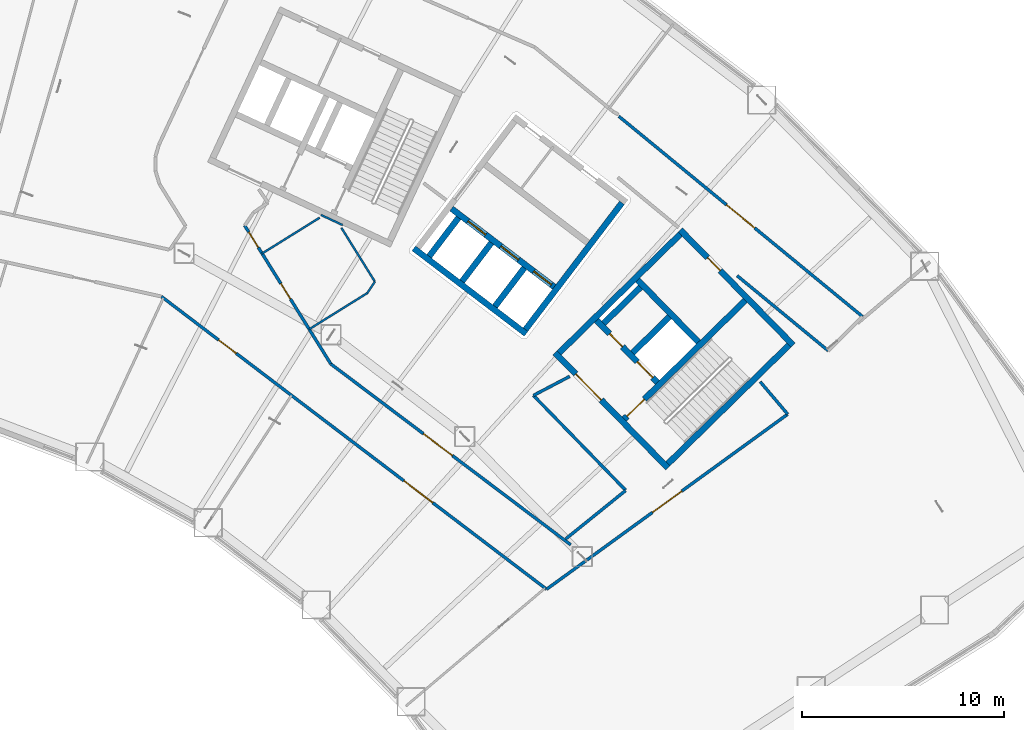
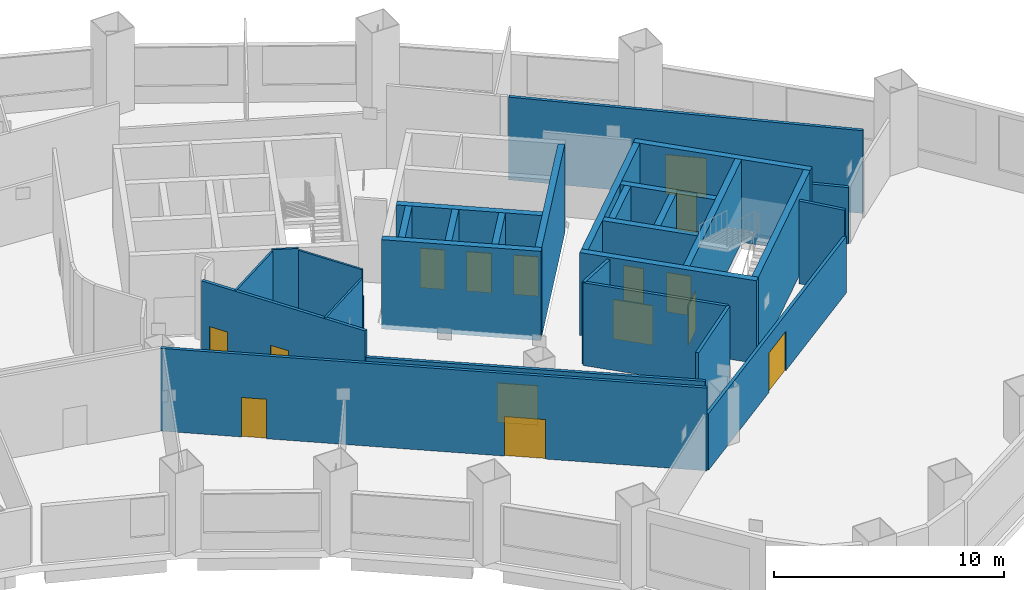
# One storey, part 10 of 24: 30 walls, 15 doors, 15 openings.
"""IFC4 building model written with IfcOpenShell, lengths in metres."""

from ifc_helpers import new_model, si_unit, direction, frame, frame_2d, origin, place, context, subcontext, project, spatial, rectangle, extrude, material, layer, layer_set, type_object, element, fill, save


model = new_model("IFC4")

# Units and contexts
model_context = context("Model", 3, precision=1e-05, world=origin(), true_north=direction((0.0, 1.0)))
body_context = subcontext(model_context, "Body", "Model", "MODEL_VIEW")
ifc_project = project(units=[si_unit("LENGTHUNIT", "METRE"), si_unit("AREAUNIT", "SQUARE_METRE"), si_unit("VOLUMEUNIT", "CUBIC_METRE"), si_unit("PLANEANGLEUNIT", "RADIAN"), si_unit("MASSUNIT", "GRAM", prefix="KILO")], contexts=[model_context])

# Site, building, storey
site_placement = place(None, origin())
site = spatial("IfcSite", under=ifc_project, at=site_placement, CompositionType="ELEMENT")
building_placement = place(site_placement, origin())
building = spatial("IfcBuilding", under=site, at=building_placement, Name="Tuul Gate Civic Tower", CompositionType="ELEMENT")
storey_placement = place(building_placement, frame((0.0, 0.0, 21.89990234375)))
storey = spatial("IfcBuildingStorey", under=building, at=storey_placement, Name="Level 04", CompositionType="ELEMENT", Elevation=21.89990234375)

# Wall, opening, door
ifc_material_1 = material(Name="Concrete C50/60", Category="concrete")
ifc_layer_1 = layer(ifc_material_1, 0.300048828125)
ifc_layer_set_1 = layer_set([ifc_layer_1], Name="Concrete C50/60")
wall_type_1 = type_object("IfcWallType", Name="Core wall C50/60", PredefinedType="SHEAR", material=ifc_layer_set_1)
wall_1_placement = place(storey_placement, frame((48.22509765625, -18.327880859375, 0.0), z_axis=(0.0, 0.0, 1.0), x_axis=(-0.700021979774, 0.714121297703, 0.0)))
wall_1 = element("IfcWall", 1, at=wall_1_placement, inside=storey, type_object=wall_type_1, Name="Core wall", PredefinedType="SHEAR", context=body_context, shape_type="SweptSolid", body=[
    extrude(rectangle(XDim=8.0, YDim=0.300048828125, at=frame_2d((4.0, 0.0))), origin(), (0.0, 0.0, 1.0), 4.400146484375),
])
opening_1_placement = place(wall_1_placement, frame((4.72509765625, 0.0, 0.0)))
opening_1 = element("IfcOpeningElement", 2, at=opening_1_placement, cuts=wall_1, Name="Opening LB-E1-LOBBY-1", PredefinedType="OPENING", context=body_context, shape_type="SweptSolid", body=[
    extrude(rectangle(XDim=1.800048828125, YDim=2.10009765625, at=frame_2d((0.89990234375, 1.050048828125))), frame((0.0, 0.16015625, 0.0), z_axis=(0.0, -1.0, 0.0), x_axis=(1.0, 0.0, 0.0)), (0.0, 0.0, 1.0), 0.320068359375),
])
ifc_material_2 = material(Name="Steel", Category="steel")
door_type_1 = type_object("IfcDoorType", Name="Lobby door", OperationType="DOUBLE_DOOR_SINGLE_SWING", PredefinedType="DOOR", material=ifc_material_2)
door_1_placement = place(opening_1_placement, frame((1.800048828125, 0.0, 0.0), z_axis=(0.0, 0.0, 1.0), x_axis=(-1.0, 0.0, 0.0)))
door_1 = element("IfcDoor", 3, at=door_1_placement, inside=storey, type_object=door_type_1, Name="Lobby door E1-LOBBY", OperationType="DOUBLE_DOOR_SINGLE_SWING", OverallHeight=2.10009765625, OverallWidth=1.800048828125, PredefinedType="DOOR", context=body_context, shape_type="SweptSolid", body=[
    extrude(rectangle(XDim=1.800048828125, YDim=2.10009765625, at=frame_2d((0.900146484375, 1.050048828125))), frame((0.0, 0.02490234375, 0.0), z_axis=(0.0, -1.0, 0.0), x_axis=(1.0, 0.0, 0.0)), (0.0, 0.0, 1.0), 0.050048828125),
])
fill(opening_1, door_1)

# Wall, openings, doors
wall_2_placement = place(storey_placement, frame((47.701904296875, -14.079833984375, 0.0), z_axis=(0.0, 0.0, 1.0), x_axis=(-0.700002721075, 0.714140175657, 0.0)))
wall_2 = element("IfcWall", 4, at=wall_2_placement, inside=storey, type_object=wall_type_1, Name="Core wall", PredefinedType="SHEAR", context=body_context, shape_type="SweptSolid", body=[
    extrude(rectangle(XDim=4.300048828125, YDim=0.300048828125, at=frame_2d((2.14990234375, 0.0))), origin(), (0.0, 0.0, 1.0), 4.400146484375),
])
opening_2_placement = place(wall_2_placement, frame((0.324951171875, 0.0, 0.0)))
opening_2 = element("IfcOpeningElement", 5, at=opening_2_placement, cuts=wall_2, Name="Opening LD-L4", PredefinedType="OPENING", context=body_context, shape_type="SweptSolid", body=[
    extrude(rectangle(XDim=1.10009765625, YDim=2.10009765625, at=frame_2d((0.550048828125, 1.050048828125))), frame((0.0, 0.16015625, 0.0), z_axis=(0.0, -1.0, 0.0), x_axis=(1.0, 0.0, 0.0)), (0.0, 0.0, 1.0), 0.320068359375),
])
opening_3_placement = place(wall_2_placement, frame((2.47509765625, 0.0, 0.0)))
opening_3 = element("IfcOpeningElement", 6, at=opening_3_placement, cuts=wall_2, Name="Opening FB-E1A2", PredefinedType="OPENING", context=body_context, shape_type="SweptSolid", body=[
    extrude(rectangle(XDim=0.89990234375, YDim=2.10009765625, at=frame_2d((0.449951171875, 1.050048828125))), frame((0.0, 0.16015625, 0.0), z_axis=(0.0, -1.0, 0.0), x_axis=(1.0, 0.0, 0.0)), (0.0, 0.0, 1.0), 0.320068359375),
])
ifc_material_3 = material(Name="Stainless steel", Category="steel")
door_type_2 = type_object("IfcDoorType", Name="Landing door", OperationType="DOUBLE_DOOR_SLIDING", PredefinedType="DOOR", material=ifc_material_3)
door_2_placement = place(opening_2_placement, origin())
door_2 = element("IfcDoor", 7, at=door_2_placement, inside=storey, type_object=door_type_2, Name="Low-rise lift L4 landing door", OperationType="DOUBLE_DOOR_SLIDING", OverallHeight=2.10009765625, OverallWidth=1.10009765625, PredefinedType="DOOR", context=body_context, shape_type="SweptSolid", body=[
    extrude(rectangle(XDim=1.10009765625, YDim=2.10009765625, at=frame_2d((0.550048828125, 1.050048828125))), frame((0.0, 0.02490234375, 0.0), z_axis=(0.0, -1.0, 0.0), x_axis=(1.0, 0.0, 0.0)), (0.0, 0.0, 1.0), 0.050048828125),
])
fill(opening_2, door_2)
ifc_material_4 = material(Name="Steel", Category="steel")
door_type_3 = type_object("IfcDoorType", Name="Store door", OperationType="NOTDEFINED", PredefinedType="DOOR", material=ifc_material_4)
door_3_placement = place(opening_3_placement, frame((0.89990234375, 0.0, 0.0), z_axis=(0.0, 0.0, 1.0), x_axis=(-1.0, 0.0, 0.0)))
door_3 = element("IfcDoor", 8, at=door_3_placement, inside=storey, type_object=door_type_3, Name="Store door E1A2", OperationType="SINGLE_SWING_LEFT", OverallHeight=2.10009765625, OverallWidth=0.89990234375, PredefinedType="DOOR", context=body_context, shape_type="SweptSolid", body=[
    extrude(rectangle(XDim=0.89990234375, YDim=2.10009765625, at=frame_2d((0.449951171875, 1.050048828125))), frame((0.0, 0.02490234375, 0.0), z_axis=(0.0, -1.0, 0.0), x_axis=(1.0, 0.0, 0.0)), (0.0, 0.0, 1.0), 0.050048828125),
])
fill(opening_3, door_3)

# Wall
wall_3_placement = place(storey_placement, frame((49.737060546875, -12.0849609375, 0.0), z_axis=(0.0, 0.0, 1.0), x_axis=(-0.700002721075, 0.714140175657, 0.0)))
element("IfcWall", 9, at=wall_3_placement, inside=storey, type_object=wall_type_1, Name="Core wall", PredefinedType="SHEAR", context=body_context, shape_type="SweptSolid", body=[
    extrude(rectangle(XDim=4.300048828125, YDim=0.300048828125, at=frame_2d((2.14990234375, 0.0))), origin(), (0.0, 0.0, 1.0), 4.400146484375),
])

# Wall, opening, door
wall_4_placement = place(storey_placement, frame((54.43798828125, -12.23779296875, 0.0), z_axis=(0.0, 0.0, 1.0), x_axis=(-0.700021979774, 0.714121297703, 0.0)))
wall_4 = element("IfcWall", 10, at=wall_4_placement, inside=storey, type_object=wall_type_1, Name="Core wall", PredefinedType="SHEAR", context=body_context, shape_type="SweptSolid", body=[
    extrude(rectangle(XDim=8.0, YDim=0.300048828125, at=frame_2d((4.0, 0.0))), origin(), (0.0, 0.0, 1.0), 4.400146484375),
])
opening_4_placement = place(wall_4_placement, frame((5.175048828125, 0.0, 0.0)))
opening_4 = element("IfcOpeningElement", 11, at=opening_4_placement, cuts=wall_4, Name="Opening QD-D40", PredefinedType="OPENING", context=body_context, shape_type="SweptSolid", body=[
    extrude(rectangle(XDim=0.89990234375, YDim=2.10009765625, at=frame_2d((0.449951171875, 1.050048828125))), frame((0.0, 0.16015625, 0.0), z_axis=(0.0, -1.0, 0.0), x_axis=(1.0, 0.0, 0.0)), (0.0, 0.0, 1.0), 0.320068359375),
])
ifc_material_5 = material(Name="Timber door leaf", Category="wood")
door_type_4 = type_object("IfcDoorType", Name="Door D09", OperationType="NOTDEFINED", PredefinedType="DOOR", material=ifc_material_5)
door_4_placement = place(opening_4_placement, origin())
door_4 = element("IfcDoor", 12, at=door_4_placement, inside=storey, type_object=door_type_4, Name="Door QD-D40", OperationType="SINGLE_SWING_LEFT", OverallHeight=2.10009765625, OverallWidth=0.89990234375, PredefinedType="DOOR", context=body_context, shape_type="SweptSolid", body=[
    extrude(rectangle(XDim=0.89990234375, YDim=2.10009765625, at=frame_2d((0.449951171875, 1.050048828125))), frame((0.0, 0.02490234375, 0.0), z_axis=(0.0, -1.0, 0.0), x_axis=(1.0, 0.0, 0.0)), (0.0, 0.0, 1.0), 0.050048828125),
])
fill(opening_4, door_4)

# Wall
wall_5_placement = place(storey_placement, frame((48.227294921875, -18.115966796875, 0.0), z_axis=(0.0, 0.0, 1.0), x_axis=(0.714105315431, 0.700038283577, 0.0)))
element("IfcWall", 13, at=wall_5_placement, inside=storey, type_object=wall_type_1, Name="Core wall", PredefinedType="SHEAR", context=body_context, shape_type="SweptSolid", body=[
    extrude(rectangle(XDim=8.400146484375, YDim=0.300048828125, at=frame_2d((4.2001953125, 0.0))), origin(), (0.0, 0.0, 1.0), 4.400146484375),
])

# Wall, opening, door
wall_6_placement = place(storey_placement, frame((46.05712890625, -15.902099609375, 0.0), z_axis=(0.0, 0.0, 1.0), x_axis=(0.714134086973, 0.700008932674, 0.0)))
wall_6 = element("IfcWall", 14, at=wall_6_placement, inside=storey, type_object=wall_type_1, Name="Core wall", PredefinedType="SHEAR", context=body_context, shape_type="SweptSolid", body=[
    extrude(rectangle(XDim=8.400146484375, YDim=0.300048828125, at=frame_2d((4.2001953125, 0.0))), origin(), (0.0, 0.0, 1.0), 4.400146484375),
])
opening_5_placement = place(wall_6_placement, frame((0.199951171875, 0.0, 0.0)))
opening_5 = element("IfcOpeningElement", 15, at=opening_5_placement, cuts=wall_6, Name="Opening SD-ST-3", PredefinedType="OPENING", context=body_context, shape_type="SweptSolid", body=[
    extrude(rectangle(XDim=1.199951171875, YDim=2.10009765625, at=frame_2d((0.60009765625, 1.050048828125))), frame((0.0, 0.16015625, 0.0), z_axis=(0.0, -1.0, 0.0), x_axis=(1.0, 0.0, 0.0)), (0.0, 0.0, 1.0), 0.320068359375),
])
ifc_material_6 = material(Name="Steel", Category="steel")
door_type_5 = type_object("IfcDoorType", Name="Stair door", OperationType="NOTDEFINED", PredefinedType="DOOR", material=ifc_material_6)
door_5_placement = place(opening_5_placement, origin())
door_5 = element("IfcDoor", 16, at=door_5_placement, inside=storey, type_object=door_type_5, Name="Stair door ST-3", OperationType="SINGLE_SWING_LEFT", OverallHeight=2.10009765625, OverallWidth=1.199951171875, PredefinedType="DOOR", context=body_context, shape_type="SweptSolid", body=[
    extrude(rectangle(XDim=1.199951171875, YDim=2.10009765625, at=frame_2d((0.60009765625, 1.050048828125))), frame((0.0, 0.02490234375, 0.0), z_axis=(0.0, -1.0, 0.0), x_axis=(1.0, 0.0, 0.0)), (0.0, 0.0, 1.0), 0.050048828125),
])
fill(opening_5, door_5)

# Walls
wall_7_placement = place(storey_placement, frame((46.47900390625, -12.617919921875, 0.0), z_axis=(0.0, 0.0, 1.0), x_axis=(0.71410944159, 0.700034074479, 0.0)))
element("IfcWall", 17, at=wall_7_placement, inside=storey, type_object=wall_type_1, Name="Core wall", PredefinedType="SHEAR", context=body_context, shape_type="SweptSolid", body=[
    extrude(rectangle(XDim=2.5498046875, YDim=0.300048828125, at=frame_2d((1.27490234375, 0.0))), origin(), (0.0, 0.0, 1.0), 4.400146484375),
])
wall_8_placement = place(storey_placement, frame((45.0439453125, -11.154052734375, 0.0), z_axis=(0.0, 0.0, 1.0), x_axis=(0.714108498262, 0.700035036773, 0.0)))
element("IfcWall", 18, at=wall_8_placement, inside=storey, type_object=wall_type_1, Name="Core wall", PredefinedType="SHEAR", context=body_context, shape_type="SweptSolid", body=[
    extrude(rectangle(XDim=2.550048828125, YDim=0.300048828125, at=frame_2d((1.27490234375, 0.0))), origin(), (0.0, 0.0, 1.0), 4.400146484375),
])
wall_9_placement = place(storey_placement, frame((42.837158203125, -12.616943359375, 0.0), z_axis=(0.0, 0.0, 1.0), x_axis=(0.714119844755, 0.700023461983, 0.0)))
element("IfcWall", 19, at=wall_9_placement, inside=storey, type_object=wall_type_1, Name="Core wall", PredefinedType="SHEAR", context=body_context, shape_type="SweptSolid", body=[
    extrude(rectangle(XDim=8.39990234375, YDim=0.300048828125, at=frame_2d((4.199951171875, 0.0))), origin(), (0.0, 0.0, 1.0), 4.400146484375),
])

# Wall, opening, door
ifc_material_7 = material(Name="Gypsum board partition")
ifc_layer_2 = layer(ifc_material_7, 0.14990234375)
ifc_layer_set_2 = layer_set([ifc_layer_2], Name="Gypsum board partition")
wall_type_2 = type_object("IfcWallType", Name="Corridor wall P150", PredefinedType="PARTITIONING", material=ifc_layer_set_2)
wall_10_placement = place(storey_placement, frame((45.788330078125, -0.888916015625, 0.0), z_axis=(0.0, 0.0, 1.0), x_axis=(0.772588147345, -0.634907516558, 0.0)))
wall_10 = element("IfcWall", 20, at=wall_10_placement, inside=storey, type_object=wall_type_2, Name="p007", PredefinedType="PARTITIONING", context=body_context, shape_type="SweptSolid", body=[
    extrude(rectangle(XDim=15.639892578125, YDim=0.14990234375, at=frame_2d((7.81982421875, 0.0))), origin(), (0.0, 0.0, 1.0), 4.400146484375),
])
opening_6_placement = place(wall_10_placement, frame((6.919921875, 0.0, 0.0)))
opening_6 = element("IfcOpeningElement", 21, at=opening_6_placement, cuts=wall_10, Name="Opening QD-D01", PredefinedType="OPENING", context=body_context, shape_type="SweptSolid", body=[
    extrude(rectangle(XDim=1.800048828125, YDim=2.10009765625, at=frame_2d((0.89990234375, 1.050048828125))), frame((0.0, 0.0849609375, 0.0), z_axis=(0.0, -1.0, 0.0), x_axis=(1.0, 0.0, 0.0)), (0.0, 0.0, 1.0), 0.169921875),
])
ifc_material_8 = material(Name="Timber door leaf, double", Category="wood")
door_type_6 = type_object("IfcDoorType", Name="Door D18", OperationType="DOUBLE_DOOR_SINGLE_SWING", PredefinedType="DOOR", material=ifc_material_8)
door_6_placement = place(opening_6_placement, origin())
door_6 = element("IfcDoor", 22, at=door_6_placement, inside=storey, type_object=door_type_6, Name="Door QD-D01", OperationType="DOUBLE_DOOR_SINGLE_SWING", OverallHeight=2.10009765625, OverallWidth=1.800048828125, PredefinedType="DOOR", context=body_context, shape_type="SweptSolid", body=[
    extrude(rectangle(XDim=1.800048828125, YDim=2.10009765625, at=frame_2d((0.89990234375, 1.050048828125))), frame((0.0, 0.02490234375, 0.0), z_axis=(0.0, -1.0, 0.0), x_axis=(1.0, 0.0, 0.0)), (0.0, 0.0, 1.0), 0.050048828125),
])
fill(opening_6, door_6)

# Wall, openings, doors
wall_11_placement = place(storey_placement, frame((23.11669921875, -9.830078125, 0.0), z_axis=(0.0, 0.0, 1.0), x_axis=(0.79616494054, -0.605079653811, 0.0)))
wall_11 = element("IfcWall", 23, at=wall_11_placement, inside=storey, type_object=wall_type_2, Name="p031", PredefinedType="PARTITIONING", context=body_context, shape_type="SweptSolid", body=[
    extrude(rectangle(XDim=23.9814453125, YDim=0.14990234375, at=frame_2d((11.99072265625, 0.0))), origin(), (0.0, 0.0, 1.0), 4.400146484375),
])
opening_7_placement = place(wall_11_placement, frame((15.09130859375, 0.0, 0.0)))
opening_7 = element("IfcOpeningElement", 24, at=opening_7_placement, cuts=wall_11, Name="Opening QD-D14", PredefinedType="OPENING", context=body_context, shape_type="SweptSolid", body=[
    extrude(rectangle(XDim=1.800048828125, YDim=2.10009765625, at=frame_2d((0.89990234375, 1.050048828125))), frame((0.0, 0.0849609375, 0.0), z_axis=(0.0, -1.0, 0.0), x_axis=(1.0, 0.0, 0.0)), (0.0, 0.0, 1.0), 0.169921875),
])
opening_8_placement = place(wall_11_placement, frame((3.555419921875, 0.0, 0.0)))
opening_8 = element("IfcOpeningElement", 25, at=opening_8_placement, cuts=wall_11, Name="Opening QD-D15", PredefinedType="OPENING", context=body_context, shape_type="SweptSolid", body=[
    extrude(rectangle(XDim=1.10009765625, YDim=2.10009765625, at=frame_2d((0.550048828125, 1.050048828125))), frame((0.0, 0.0849609375, 0.0), z_axis=(0.0, -1.0, 0.0), x_axis=(1.0, 0.0, 0.0)), (0.0, 0.0, 1.0), 0.169921875),
])
ifc_material_9 = material(Name="Timber door leaf", Category="wood")
door_type_7 = type_object("IfcDoorType", Name="Door D11", OperationType="NOTDEFINED", PredefinedType="DOOR", material=ifc_material_9)
door_7_placement = place(opening_8_placement, frame((1.10009765625, 0.0, 0.0), z_axis=(0.0, 0.0, 1.0), x_axis=(-1.0, 0.0, 0.0)))
door_7 = element("IfcDoor", 26, at=door_7_placement, inside=storey, type_object=door_type_7, Name="Door QD-D15", OperationType="SINGLE_SWING_LEFT", OverallHeight=2.10009765625, OverallWidth=1.10009765625, PredefinedType="DOOR", context=body_context, shape_type="SweptSolid", body=[
    extrude(rectangle(XDim=1.10009765625, YDim=2.10009765625, at=frame_2d((0.550048828125, 1.050048828125))), frame((0.0, 0.02490234375, 0.0), z_axis=(0.0, -1.0, 0.0), x_axis=(1.0, 0.0, 0.0)), (0.0, 0.0, 1.0), 0.050048828125),
])
fill(opening_8, door_7)
door_8_placement = place(opening_7_placement, frame((1.800048828125, 0.0, 0.0), z_axis=(0.0, 0.0, 1.0), x_axis=(-1.0, 0.0, 0.0)))
door_8 = element("IfcDoor", 27, at=door_8_placement, inside=storey, type_object=door_type_6, Name="Door QD-D14", OperationType="DOUBLE_DOOR_SINGLE_SWING", OverallHeight=2.10009765625, OverallWidth=1.800048828125, PredefinedType="DOOR", context=body_context, shape_type="SweptSolid", body=[
    extrude(rectangle(XDim=1.800048828125, YDim=2.10009765625, at=frame_2d((0.900146484375, 1.050048828125))), frame((0.0, 0.02490234375, 0.0), z_axis=(0.0, -1.0, 0.0), x_axis=(1.0, 0.0, 0.0)), (0.0, 0.0, 1.0), 0.050048828125),
])
fill(opening_7, door_8)

# Walls
wall_12_placement = place(storey_placement, frame((52.80126953125, -14.05224609375, 0.0), z_axis=(0.0, 0.0, 1.0), x_axis=(0.646663288802, -0.762775583587, 0.0)))
element("IfcWall", 28, at=wall_12_placement, inside=storey, type_object=wall_type_2, Name="p039", PredefinedType="PARTITIONING", context=body_context, shape_type="SweptSolid", body=[
    extrude(rectangle(XDim=2.10888671875, YDim=0.14990234375, at=frame_2d((1.054443359375, 0.0))), origin(), (0.0, 0.0, 1.0), 4.400146484375),
])
wall_13_placement = place(storey_placement, frame((41.556884765625, -14.730224609375, 0.0), z_axis=(0.0, 0.0, 1.0), x_axis=(0.885749122422, 0.464164294327, 0.0)))
element("IfcWall", 29, at=wall_13_placement, inside=storey, type_object=wall_type_2, Name="p046", PredefinedType="PARTITIONING", context=body_context, shape_type="SweptSolid", body=[
    extrude(rectangle(XDim=2.02978515625, YDim=0.14990234375, at=frame_2d((1.014892578125, 0.0))), origin(), (0.0, 0.0, 1.0), 4.400146484375),
])
wall_14_placement = place(storey_placement, frame((41.556884765625, -14.730224609375, 0.0), z_axis=(0.0, 0.0, 1.0), x_axis=(0.697229112364, -0.716848355562, 0.0)))
element("IfcWall", 30, at=wall_14_placement, inside=storey, type_object=wall_type_2, Name="p047", PredefinedType="PARTITIONING", context=body_context, shape_type="SweptSolid", body=[
    extrude(rectangle(XDim=6.54541015625, YDim=0.14990234375, at=frame_2d((3.272705078125, 0.0))), origin(), (0.0, 0.0, 1.0), 4.400146484375),
])
wall_15_placement = place(storey_placement, frame((43.149169921875, -21.852783203125, 0.0), z_axis=(0.0, 0.0, 1.0), x_axis=(0.77775240403, 0.628570758169, 0.0)))
element("IfcWall", 31, at=wall_15_placement, inside=storey, type_object=wall_type_2, Name="p048", PredefinedType="PARTITIONING", context=body_context, shape_type="SweptSolid", body=[
    extrude(rectangle(XDim=3.818115234375, YDim=0.14990234375, at=frame_2d((1.9091796875, 0.0))), origin(), (0.0, 0.0, 1.0), 4.400146484375),
])

# Wall, openings, doors
wall_16_placement = place(storey_placement, frame((27.242919921875, -6.30908203125, 0.0), z_axis=(0.0, 0.0, 1.0), x_axis=(0.528324162105, -0.849042743174, 0.0)))
wall_16 = element("IfcWall", 32, at=wall_16_placement, inside=storey, type_object=wall_type_2, Name="p050", PredefinedType="PARTITIONING", context=body_context, shape_type="SweptSolid", body=[
    extrude(rectangle(XDim=8.07666015625, YDim=0.14990234375, at=frame_2d((4.038330078125, 0.0))), origin(), (0.0, 0.0, 1.0), 4.400146484375),
])
opening_9_placement = place(wall_16_placement, frame((3.391357421875, 0.0, 0.0)))
opening_9 = element("IfcOpeningElement", 33, at=opening_9_placement, cuts=wall_16, Name="Opening QD-D23", PredefinedType="OPENING", context=body_context, shape_type="SweptSolid", body=[
    extrude(rectangle(XDim=0.89990234375, YDim=2.10009765625, at=frame_2d((0.449951171875, 1.050048828125))), frame((0.0, 0.0849609375, 0.0), z_axis=(0.0, -1.0, 0.0), x_axis=(1.0, 0.0, 0.0)), (0.0, 0.0, 1.0), 0.169921875),
])
opening_10_placement = place(wall_16_placement, frame((0.380126953125, 0.0, 0.0)))
opening_10 = element("IfcOpeningElement", 34, at=opening_10_placement, cuts=wall_16, Name="Opening QD-D34", PredefinedType="OPENING", context=body_context, shape_type="SweptSolid", body=[
    extrude(rectangle(XDim=0.89990234375, YDim=2.10009765625, at=frame_2d((0.449951171875, 1.050048828125))), frame((0.0, 0.0849609375, 0.0), z_axis=(0.0, -1.0, 0.0), x_axis=(1.0, 0.0, 0.0)), (0.0, 0.0, 1.0), 0.169921875),
])
door_9_placement = place(opening_9_placement, origin())
door_9 = element("IfcDoor", 35, at=door_9_placement, inside=storey, type_object=door_type_4, Name="Door QD-D23", OperationType="SINGLE_SWING_RIGHT", OverallHeight=2.10009765625, OverallWidth=0.89990234375, PredefinedType="DOOR", context=body_context, shape_type="SweptSolid", body=[
    extrude(rectangle(XDim=0.89990234375, YDim=2.10009765625, at=frame_2d((0.449951171875, 1.050048828125))), frame((0.0, 0.02490234375, 0.0), z_axis=(0.0, -1.0, 0.0), x_axis=(1.0, 0.0, 0.0)), (0.0, 0.0, 1.0), 0.050048828125),
])
fill(opening_9, door_9)
door_10_placement = place(opening_10_placement, origin())
door_10 = element("IfcDoor", 36, at=door_10_placement, inside=storey, type_object=door_type_4, Name="Door QD-D34", OperationType="SINGLE_SWING_RIGHT", OverallHeight=2.10009765625, OverallWidth=0.89990234375, PredefinedType="DOOR", context=body_context, shape_type="SweptSolid", body=[
    extrude(rectangle(XDim=0.89990234375, YDim=2.10009765625, at=frame_2d((0.449951171875, 1.050048828125))), frame((0.0, 0.02490234375, 0.0), z_axis=(0.0, -1.0, 0.0), x_axis=(1.0, 0.0, 0.0)), (0.0, 0.0, 1.0), 0.050048828125),
])
fill(opening_10, door_10)

# Wall, opening, door
ifc_material_10 = material(Name="Gypsum board partition")
ifc_layer_3 = layer(ifc_material_10, 0.14990234375)
ifc_layer_set_3 = layer_set([ifc_layer_3], Name="Gypsum board partition")
wall_type_3 = type_object("IfcWallType", Name="Corridor wall P150 3000 HIGH", PredefinedType="PARTITIONING", material=ifc_layer_set_3)
wall_17_placement = place(storey_placement, frame((42.2099609375, -24.3408203125, 0.0), z_axis=(0.0, 0.0, 1.0), x_axis=(0.809208177524, 0.587522021228, 0.0)))
wall_17 = element("IfcWall", 37, at=wall_17_placement, inside=storey, type_object=wall_type_3, Name="p038", PredefinedType="PARTITIONING", context=body_context, shape_type="SweptSolid", body=[
    extrude(rectangle(XDim=14.773681640625, YDim=0.14990234375, at=frame_2d((7.38671875, 0.0))), origin(), (0.0, 0.0, 1.0), 3.0),
])
opening_11_placement = place(wall_17_placement, frame((6.48681640625, 0.0, 0.0)))
opening_11 = element("IfcOpeningElement", 38, at=opening_11_placement, cuts=wall_17, Name="Opening QD-D21", PredefinedType="OPENING", context=body_context, shape_type="SweptSolid", body=[
    extrude(rectangle(XDim=1.800048828125, YDim=2.10009765625, at=frame_2d((0.89990234375, 1.050048828125))), frame((0.0, 0.0849609375, 0.0), z_axis=(0.0, -1.0, 0.0), x_axis=(1.0, 0.0, 0.0)), (0.0, 0.0, 1.0), 0.169921875),
])
door_11_placement = place(opening_11_placement, frame((1.800048828125, 0.0, 0.0), z_axis=(0.0, 0.0, 1.0), x_axis=(-1.0, 0.0, 0.0)))
door_11 = element("IfcDoor", 39, at=door_11_placement, inside=storey, type_object=door_type_6, Name="Door QD-D21", OperationType="DOUBLE_DOOR_SINGLE_SWING", OverallHeight=2.10009765625, OverallWidth=1.800048828125, PredefinedType="DOOR", context=body_context, shape_type="SweptSolid", body=[
    extrude(rectangle(XDim=1.800048828125, YDim=2.10009765625, at=frame_2d((0.900146484375, 1.050048828125))), frame((0.0, 0.02490234375, 0.0), z_axis=(0.0, -1.0, 0.0), x_axis=(1.0, 0.0, 0.0)), (0.0, 0.0, 1.0), 0.050048828125),
])
fill(opening_11, door_11)

# Wall
wall_18_placement = place(storey_placement, frame((51.6572265625, -8.795166015625, 0.0), z_axis=(0.0, 0.0, 1.0), x_axis=(0.771924210721, -0.635714568736, 0.0)))
element("IfcWall", 40, at=wall_18_placement, inside=storey, type_object=wall_type_3, Name="p041", PredefinedType="PARTITIONING", context=body_context, shape_type="SweptSolid", body=[
    extrude(rectangle(XDim=5.8486328125, YDim=0.14990234375, at=frame_2d((2.92431640625, 0.0))), origin(), (0.0, 0.0, 1.0), 3.0),
])

# Wall, opening, door
wall_19_placement = place(storey_placement, frame((31.515625, -13.172607421875, 0.0), z_axis=(0.0, 0.0, 1.0), x_axis=(0.798531875303, -0.601952526471, 0.0)))
wall_19 = element("IfcWall", 41, at=wall_19_placement, inside=storey, type_object=wall_type_3, Name="p049", PredefinedType="PARTITIONING", context=body_context, shape_type="SweptSolid", body=[
    extrude(rectangle(XDim=14.890869140625, YDim=0.14990234375, at=frame_2d((7.4453125, 0.0))), origin(), (0.0, 0.0, 1.0), 3.0),
])
opening_12_placement = place(wall_19_placement, frame((5.7470703125, 0.0, 0.0)))
opening_12 = element("IfcOpeningElement", 42, at=opening_12_placement, cuts=wall_19, Name="Opening QD-D22", PredefinedType="OPENING", context=body_context, shape_type="SweptSolid", body=[
    extrude(rectangle(XDim=1.800048828125, YDim=2.10009765625, at=frame_2d((0.89990234375, 1.050048828125))), frame((0.0, 0.0849609375, 0.0), z_axis=(0.0, -1.0, 0.0), x_axis=(1.0, 0.0, 0.0)), (0.0, 0.0, 1.0), 0.169921875),
])
door_12_placement = place(opening_12_placement, frame((1.800048828125, 0.0, 0.0), z_axis=(0.0, 0.0, 1.0), x_axis=(-1.0, 0.0, 0.0)))
door_12 = element("IfcDoor", 43, at=door_12_placement, inside=storey, type_object=door_type_6, Name="Door QD-D22", OperationType="DOUBLE_DOOR_SINGLE_SWING", OverallHeight=2.10009765625, OverallWidth=1.800048828125, PredefinedType="DOOR", context=body_context, shape_type="SweptSolid", body=[
    extrude(rectangle(XDim=1.800048828125, YDim=2.10009765625, at=frame_2d((0.900146484375, 1.050048828125))), frame((0.0, 0.02490234375, 0.0), z_axis=(0.0, -1.0, 0.0), x_axis=(1.0, 0.0, 0.0)), (0.0, 0.0, 1.0), 0.050048828125),
])
fill(opening_12, door_12)

# Wall
ifc_material_11 = material(Name="Concrete C40/50", Category="concrete")
ifc_layer_4 = layer(ifc_material_11, 0.300048828125)
ifc_layer_set_4 = layer_set([ifc_layer_4], Name="Concrete C40/50")
wall_type_4 = type_object("IfcWallType", Name="Lift shaft wall C40/50", PredefinedType="STANDARD", material=ifc_layer_set_4)
wall_20_placement = place(storey_placement, frame((41.19189453125, -11.677734375, -0.349853515625), z_axis=(0.0, 0.0, 1.0), x_axis=(-0.795563000331, 0.605870871147, 0.0)))
element("IfcWall", 44, at=wall_20_placement, inside=storey, type_object=wall_type_4, Name="Shaft wall", PredefinedType="STANDARD", context=body_context, shape_type="SweptSolid", body=[
    extrude(rectangle(XDim=7.000244140625, YDim=0.300048828125, at=frame_2d((3.5, 0.0))), origin(), (0.0, 0.0, 1.0), 4.75),
])

# Wall, openings, doors
wall_21_placement = place(storey_placement, frame((42.5888671875, -9.34765625, -0.349853515625), z_axis=(0.0, 0.0, 1.0), x_axis=(-0.795584062101, 0.605843214149, 0.0)))
wall_21 = element("IfcWall", 45, at=wall_21_placement, inside=storey, type_object=wall_type_4, Name="Shaft wall", PredefinedType="STANDARD", context=body_context, shape_type="SweptSolid", body=[
    extrude(rectangle(XDim=6.400146484375, YDim=0.300048828125, at=frame_2d((3.2001953125, 0.0))), origin(), (0.0, 0.0, 1.0), 4.75),
])
opening_13_placement = place(wall_21_placement, frame((0.175048828125, 0.0, 0.35009765625)))
opening_13 = element("IfcOpeningElement", 46, at=opening_13_placement, cuts=wall_21, Name="Opening LD-L1", PredefinedType="OPENING", context=body_context, shape_type="SweptSolid", body=[
    extrude(rectangle(XDim=1.10009765625, YDim=2.10009765625, at=frame_2d((0.550048828125, 1.050048828125))), frame((0.0, 0.16015625, 0.0), z_axis=(0.0, -1.0, 0.0), x_axis=(1.0, 0.0, 0.0)), (0.0, 0.0, 1.0), 0.320068359375),
])
opening_14_placement = place(wall_21_placement, frame((2.22509765625, 0.0, 0.35009765625)))
opening_14 = element("IfcOpeningElement", 47, at=opening_14_placement, cuts=wall_21, Name="Opening LD-L2", PredefinedType="OPENING", context=body_context, shape_type="SweptSolid", body=[
    extrude(rectangle(XDim=1.10009765625, YDim=2.10009765625, at=frame_2d((0.550048828125, 1.050048828125))), frame((0.0, 0.16015625, 0.0), z_axis=(0.0, -1.0, 0.0), x_axis=(1.0, 0.0, 0.0)), (0.0, 0.0, 1.0), 0.320068359375),
])
opening_15_placement = place(wall_21_placement, frame((4.27490234375, 0.0, 0.35009765625)))
opening_15 = element("IfcOpeningElement", 48, at=opening_15_placement, cuts=wall_21, Name="Opening LD-L3", PredefinedType="OPENING", context=body_context, shape_type="SweptSolid", body=[
    extrude(rectangle(XDim=1.10009765625, YDim=2.10009765625, at=frame_2d((0.550048828125, 1.050048828125))), frame((0.0, 0.16015625, 0.0), z_axis=(0.0, -1.0, 0.0), x_axis=(1.0, 0.0, 0.0)), (0.0, 0.0, 1.0), 0.320068359375),
])
door_13_placement = place(opening_13_placement, origin())
door_13 = element("IfcDoor", 49, at=door_13_placement, inside=storey, type_object=door_type_2, Name="Low-rise lift L1 landing door", OperationType="DOUBLE_DOOR_SLIDING", OverallHeight=2.10009765625, OverallWidth=1.10009765625, PredefinedType="DOOR", context=body_context, shape_type="SweptSolid", body=[
    extrude(rectangle(XDim=1.10009765625, YDim=2.10009765625, at=frame_2d((0.550048828125, 1.050048828125))), frame((0.0, 0.02490234375, 0.0), z_axis=(0.0, -1.0, 0.0), x_axis=(1.0, 0.0, 0.0)), (0.0, 0.0, 1.0), 0.050048828125),
])
fill(opening_13, door_13)
door_14_placement = place(opening_14_placement, origin())
door_14 = element("IfcDoor", 50, at=door_14_placement, inside=storey, type_object=door_type_2, Name="Low-rise lift L2 landing door", OperationType="DOUBLE_DOOR_SLIDING", OverallHeight=2.10009765625, OverallWidth=1.10009765625, PredefinedType="DOOR", context=body_context, shape_type="SweptSolid", body=[
    extrude(rectangle(XDim=1.10009765625, YDim=2.10009765625, at=frame_2d((0.550048828125, 1.050048828125))), frame((0.0, 0.02490234375, 0.0), z_axis=(0.0, -1.0, 0.0), x_axis=(1.0, 0.0, 0.0)), (0.0, 0.0, 1.0), 0.050048828125),
])
fill(opening_14, door_14)
door_15_placement = place(opening_15_placement, origin())
door_15 = element("IfcDoor", 51, at=door_15_placement, inside=storey, type_object=door_type_2, Name="Low-rise lift L3 landing door", OperationType="DOUBLE_DOOR_SLIDING", OverallHeight=2.10009765625, OverallWidth=1.10009765625, PredefinedType="DOOR", context=body_context, shape_type="SweptSolid", body=[
    extrude(rectangle(XDim=1.10009765625, YDim=2.10009765625, at=frame_2d((0.550048828125, 1.050048828125))), frame((0.0, 0.02490234375, 0.0), z_axis=(0.0, -1.0, 0.0), x_axis=(1.0, 0.0, 0.0)), (0.0, 0.0, 1.0), 0.050048828125),
])
fill(opening_15, door_15)

# Walls
wall_22_placement = place(storey_placement, frame((41.163330078125, -11.46728515625, -0.349853515625), z_axis=(0.0, 0.0, 1.0), x_axis=(0.605784332699, 0.795628897324, 0.0)))
element("IfcWall", 52, at=wall_22_placement, inside=storey, type_object=wall_type_4, Name="Shaft wall", PredefinedType="STANDARD", context=body_context, shape_type="SweptSolid", body=[
    extrude(rectangle(XDim=7.89990234375, YDim=0.300048828125, at=frame_2d((3.949951171875, 0.0))), origin(), (0.0, 0.0, 1.0), 4.75),
])
wall_23_placement = place(storey_placement, frame((39.65185546875, -10.31640625, -0.349853515625), z_axis=(0.0, 0.0, 1.0), x_axis=(0.605745892068, 0.79565816419, 0.0)))
element("IfcWall", 53, at=wall_23_placement, inside=storey, type_object=wall_type_4, Name="Shaft wall", PredefinedType="STANDARD", context=body_context, shape_type="SweptSolid", body=[
    extrude(rectangle(XDim=2.400146484375, YDim=0.300048828125, at=frame_2d((1.2001953125, 0.0))), origin(), (0.0, 0.0, 1.0), 4.75),
])
wall_24_placement = place(storey_placement, frame((38.02099609375, -9.07421875, -0.349853515625), z_axis=(0.0, 0.0, 1.0), x_axis=(0.605730519254, 0.795669867498, 0.0)))
element("IfcWall", 54, at=wall_24_placement, inside=storey, type_object=wall_type_4, Name="Shaft wall", PredefinedType="STANDARD", context=body_context, shape_type="SweptSolid", body=[
    extrude(rectangle(XDim=2.399658203125, YDim=0.300048828125, at=frame_2d((1.19970703125, 0.0))), origin(), (0.0, 0.0, 1.0), 4.75),
])
wall_25_placement = place(storey_placement, frame((36.389892578125, -7.832275390625, -0.349853515625), z_axis=(0.0, 0.0, 1.0), x_axis=(0.605745892068, 0.79565816419, 0.0)))
element("IfcWall", 55, at=wall_25_placement, inside=storey, type_object=wall_type_4, Name="Shaft wall", PredefinedType="STANDARD", context=body_context, shape_type="SweptSolid", body=[
    extrude(rectangle(XDim=2.400146484375, YDim=0.300048828125, at=frame_2d((1.2001953125, 0.0))), origin(), (0.0, 0.0, 1.0), 4.75),
])
ifc_material_12 = material(Name="Gypsum board partition")
ifc_layer_5 = layer(ifc_material_12, 0.10009765625)
ifc_layer_set_5 = layer_set([ifc_layer_5], Name="Gypsum board partition")
wall_type_5 = type_object("IfcWallType", Name="Partition P100", PredefinedType="PARTITIONING", material=ifc_layer_set_5)
wall_26_placement = place(storey_placement, frame((32.03515625, -6.41845703125, 0.0), z_axis=(0.0, 0.0, 1.0), x_axis=(0.528330484682, -0.849038808863, 0.0)))
element("IfcWall", 56, at=wall_26_placement, inside=storey, type_object=wall_type_5, Name="p042", PredefinedType="PARTITIONING", context=body_context, shape_type="SweptSolid", body=[
    extrude(rectangle(XDim=3.1455078125, YDim=0.10009765625, at=frame_2d((1.57275390625, 0.0))), origin(), (0.0, 0.0, 1.0), 4.400146484375),
])
wall_27_placement = place(storey_placement, frame((30.440673828125, -11.44775390625, 0.0), z_axis=(0.0, 0.0, 1.0), x_axis=(0.849042984341, 0.528323774537, 0.0)))
element("IfcWall", 57, at=wall_27_placement, inside=storey, type_object=wall_type_5, Name="p043", PredefinedType="PARTITIONING", context=body_context, shape_type="SweptSolid", body=[
    extrude(rectangle(XDim=3.39501953125, YDim=0.10009765625, at=frame_2d((1.697509765625, 0.0))), origin(), (0.0, 0.0, 1.0), 4.400146484375),
])
wall_28_placement = place(storey_placement, frame((28.10498046875, -7.694091796875, 0.0), z_axis=(0.0, 0.0, 1.0), x_axis=(0.849040684229, 0.528327470915, 0.0)))
element("IfcWall", 58, at=wall_28_placement, inside=storey, type_object=wall_type_5, Name="p051", PredefinedType="PARTITIONING", context=body_context, shape_type="SweptSolid", body=[
    extrude(rectangle(XDim=3.36328125, YDim=0.10009765625, at=frame_2d((1.681640625, 0.0))), origin(), (0.0, 0.0, 1.0), 4.400146484375),
])
wall_29_placement = place(storey_placement, frame((31.023681640625, -5.781494140625, 0.0), z_axis=(0.0, 0.0, 1.0), x_axis=(0.906377938824, -0.422467788137, 0.0)))
element("IfcWall", 59, at=wall_29_placement, inside=storey, type_object=wall_type_5, Name="p086", PredefinedType="PARTITIONING", context=body_context, shape_type="SweptSolid", body=[
    extrude(rectangle(XDim=1.18408203125, YDim=0.10009765625, at=frame_2d((0.592041015625, 0.0))), origin(), (0.0, 0.0, 1.0), 4.400146484375),
])
ifc_material_13 = material(Name="Gypsum board partition")
ifc_layer_6 = layer(ifc_material_13, 0.10009765625)
ifc_layer_set_6 = layer_set([ifc_layer_6], Name="Gypsum board partition")
wall_type_6 = type_object("IfcWallType", Name="Partition P100 3000 HIGH", PredefinedType="PARTITIONING", material=ifc_layer_set_6)
wall_30_placement = place(storey_placement, frame((33.3232421875, -9.654052734375, 0.0), z_axis=(0.0, 0.0, 1.0), x_axis=(0.551785807624, 0.833985864691, 0.0)))
element("IfcWall", 60, at=wall_30_placement, inside=storey, type_object=wall_type_6, Name="p044", PredefinedType="PARTITIONING", context=body_context, shape_type="SweptSolid", body=[
    extrude(rectangle(XDim=0.677490234375, YDim=0.10009765625, at=frame_2d((0.3388671875, 0.0))), origin(), (0.0, 0.0, 1.0), 3.0),
])

save(model, "model.ifc")
